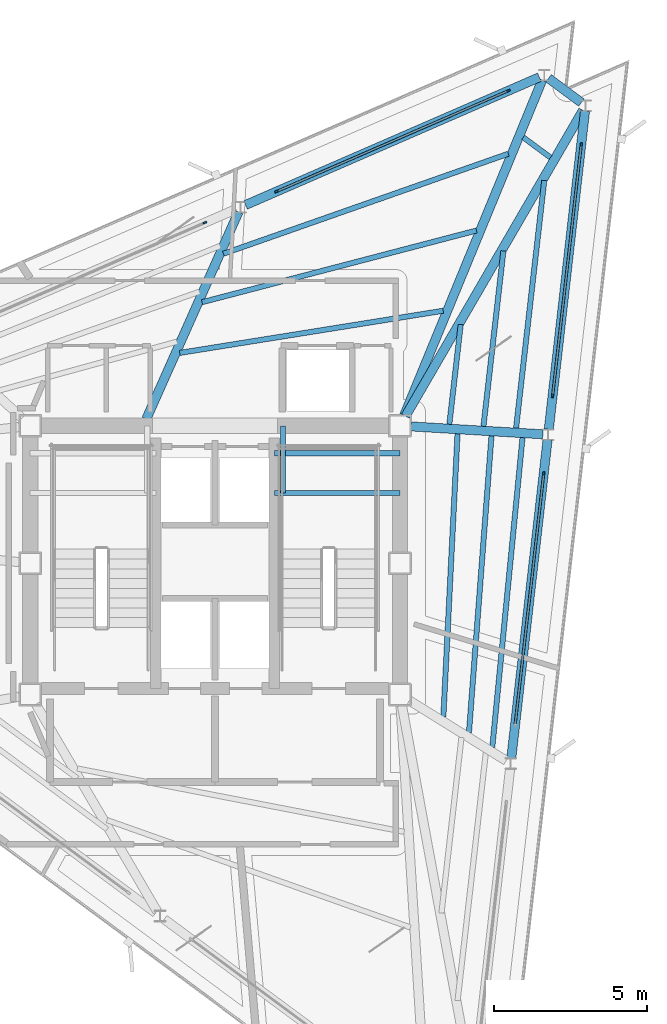
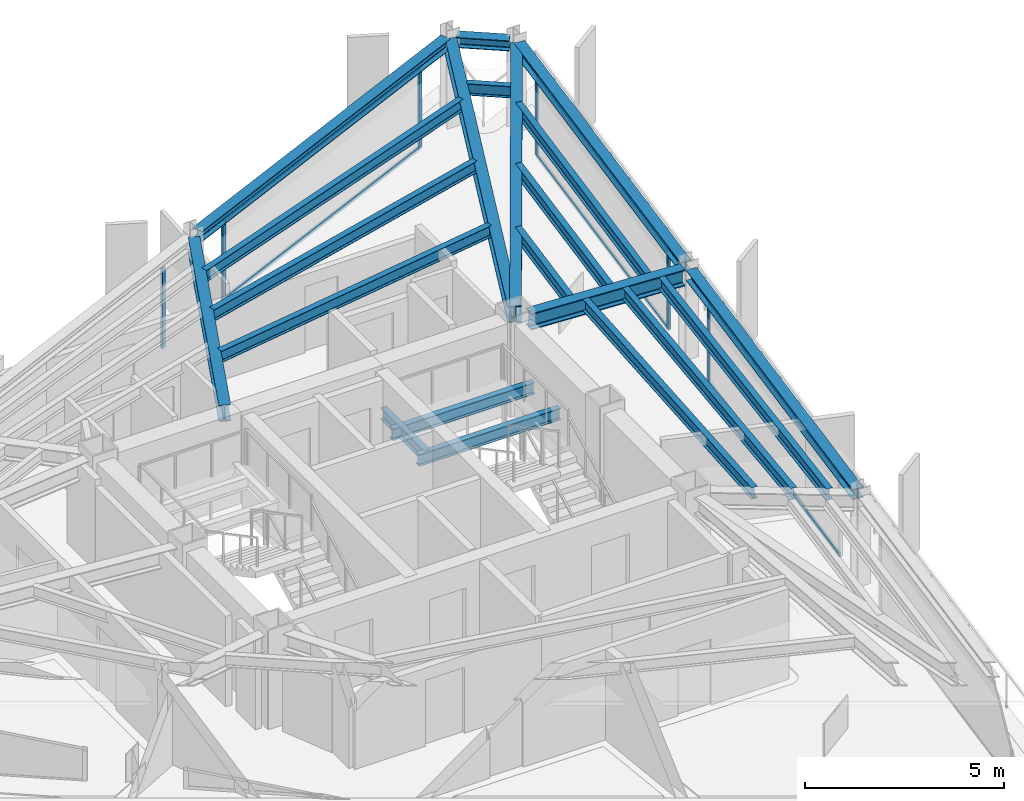
# One storey, part 4 of 10: 21 beams, 12 members, 4 elements without a shape of their own.
"""IFC4 building model written with IfcOpenShell, lengths in metres."""

import ifcopenshell
import ifcopenshell.guid

model = None  # the IFC model being written
_history = None  # IfcOwnerHistory: only IFC2X3 demands one
_inside = {}  # id of a spatial element -> (the spatial element, [elements in it])
_under = {}  # id of a project, library or spatial element -> (it, [spatial elements below it])
_declared = {}  # id of a project -> (the project, [libraries it declares])
_typed = {}  # id of a type object -> (the type object, [elements of that type])
_made_of = {}  # id of a material, layer set ... -> (it, [elements and type objects made of it])


def new_model(schema):
    """Start an empty IFC model of exactly this schema.

    Asked for "IFC4X3", IfcOpenShell would pick the latest addendum, in which some entities
    have other attributes; the version numbers below select the first issue.
    IFC2X3 requires an IfcOwnerHistory on every rooted entity: one is made here for all.
    """
    global model, _history
    if schema == "IFC4X3":
        model = ifcopenshell.file(schema_version=(4, 3, 0, 0))
    else:
        model = ifcopenshell.file(schema=schema)
    _inside.clear()
    _under.clear()
    _declared.clear()
    _typed.clear()
    _made_of.clear()
    _history = None
    if model.schema == "IFC2X3":
        org = make("IfcOrganization", Name="unknown")
        user = make(
            "IfcPersonAndOrganization",
            ThePerson=make("IfcPerson", FamilyName="unknown"),
            TheOrganization=org,
        )
        app = make(
            "IfcApplication",
            ApplicationDeveloper=org,
            Version="unknown",
            ApplicationFullName="unknown",
            ApplicationIdentifier="unknown",
        )
        _history = make(
            "IfcOwnerHistory",
            OwningUser=user,
            OwningApplication=app,
            ChangeAction="ADDED",
            CreationDate=0,
        )
    return model


def make(cls, **values):
    """One entity of the class cls with the attributes given. An attribute that is None is left unset."""
    return model.create_entity(
        cls, **{name: value for name, value in values.items() if value is not None}
    )


def rooted(cls, **values):
    """An entity with a GlobalId (a new one), such as an element, a storey or a relation."""
    return make(cls, GlobalId=ifcopenshell.guid.new(), OwnerHistory=_history, **values)


def si_unit(unit_type, name, prefix=None):
    """IfcSIUnit, for example si_unit("LENGTHUNIT", "METRE", prefix="MILLI")."""
    return make("IfcSIUnit", UnitType=unit_type, Prefix=prefix, Name=name)


def assignment(units):
    """IfcUnitAssignment: the units of a project."""
    return None if units is None else make("IfcUnitAssignment", Units=units)


def point(xyz):
    """IfcCartesianPoint."""
    return None if xyz is None else make("IfcCartesianPoint", Coordinates=xyz)


def direction(xyz):
    """IfcDirection."""
    return None if xyz is None else make("IfcDirection", DirectionRatios=xyz)


def frame(location, z_axis=None, x_axis=None):
    """IfcAxis2Placement3D, a coordinate frame: its origin and axes. An axis left out is left unset."""
    return make(
        "IfcAxis2Placement3D",
        Location=point(location),
        Axis=direction(z_axis),
        RefDirection=direction(x_axis),
    )


def frame_2d(location, x_axis=None):
    """IfcAxis2Placement2D, a coordinate frame in the plane: its origin and x axis."""
    return make(
        "IfcAxis2Placement2D", Location=point(location), RefDirection=direction(x_axis)
    )


def origin():
    """The frame at (0, 0, 0) with its axes left unset."""
    return frame((0.0, 0.0, 0.0))


def origin_2d():
    """The frame at (0, 0) in the plane with its x axis left unset."""
    return frame_2d((0.0, 0.0))


def place(relative_to, where):
    """IfcLocalPlacement: puts the frame where relative to a parent placement (None: the world)."""
    return make(
        "IfcLocalPlacement", PlacementRelTo=relative_to, RelativePlacement=where
    )


def context(
    kind, dimensions, precision=None, world=None, true_north=None, identifier=None
):
    """IfcGeometricRepresentationContext, for example the 3D "Model" context."""
    return make(
        "IfcGeometricRepresentationContext",
        ContextIdentifier=identifier,
        ContextType=kind,
        CoordinateSpaceDimension=dimensions,
        Precision=precision,
        WorldCoordinateSystem=world,
        TrueNorth=true_north,
    )


def subcontext(parent, identifier, kind, view, scale=None):
    """IfcGeometricRepresentationSubContext, for example "Body" below "Model"."""
    return make(
        "IfcGeometricRepresentationSubContext",
        ContextIdentifier=identifier,
        ContextType=kind,
        ParentContext=parent,
        TargetScale=scale,
        TargetView=view,
    )


def project(units=None, contexts=None):
    """IfcProject with its units and contexts."""
    return rooted(
        "IfcProject",
        Name="project",
        RepresentationContexts=contexts,
        UnitsInContext=assignment(units),
    )


def spatial(cls, under=None, at=None, **own):
    """A site, building, storey or space (cls), placed at a placement, below another one or the project."""
    s = rooted(cls, ObjectPlacement=at, **own)
    if under is not None:
        _under.setdefault(under.id(), (under, []))[1].append(s)
    return s


def profile(cls, at=None, kind="AREA", **sizes):
    """A parametric profile (cls). Its sizes go by their IFC names, for example OverallWidth=200.0."""
    return make(cls, ProfileType=kind, Position=at, **sizes)


def rectangle(**sizes):
    """IfcRectangleProfileDef."""
    return profile("IfcRectangleProfileDef", **sizes)


def i_section(**sizes):
    """IfcIShapeProfileDef."""
    return profile("IfcIShapeProfileDef", **sizes)


def extrude(swept, where, along, depth):
    """IfcExtrudedAreaSolid: the profile swept, set in the frame where, extruded along a direction by depth."""
    return make(
        "IfcExtrudedAreaSolid",
        SweptArea=swept,
        Position=where,
        ExtrudedDirection=direction(along),
        Depth=depth,
    )


def shape(context_of_items, identifier, shape_type, items):
    """IfcShapeRepresentation: the items that make up one representation, for example the "Body"."""
    return make(
        "IfcShapeRepresentation",
        ContextOfItems=context_of_items,
        RepresentationIdentifier=identifier,
        RepresentationType=shape_type,
        Items=items,
    )


def material(Name=None, Category=None):
    """IfcMaterial."""
    return make("IfcMaterial", Name=Name, Category=Category)


def layer(
    of_material, thickness, ventilated=None, Name=None, Category=None, Priority=None
):
    """IfcMaterialLayer: one layer of a wall or slab, of a material (None: an air gap)."""
    return make(
        "IfcMaterialLayer",
        Material=of_material,
        LayerThickness=thickness,
        IsVentilated=ventilated,
        Name=Name,
        Category=Category,
        Priority=Priority,
    )


def layer_set(layers, Name=None):
    """IfcMaterialLayerSet."""
    return make("IfcMaterialLayerSet", MaterialLayers=layers, LayerSetName=Name)


def material_profile(
    of_material, cross_section, Name=None, Category=None, Priority=None
):
    """IfcMaterialProfile: a cross section and its material."""
    return make(
        "IfcMaterialProfile",
        Name=Name,
        Material=of_material,
        Profile=cross_section,
        Priority=Priority,
        Category=Category,
    )


def profile_set(profiles, Name=None, composite=None):
    """IfcMaterialProfileSet."""
    return make(
        "IfcMaterialProfileSet",
        Name=Name,
        MaterialProfiles=profiles,
        CompositeProfile=composite,
    )


def made_of(thing, what):
    """Note that an element or type object is made of a material, layer set ...; save() writes the relation."""
    if what is not None:
        _made_of.setdefault(what.id(), (what, []))[1].append(thing)
    return thing


def type_object(cls, material=None, **own):
    """A type object (cls), such as IfcWallType, which elements share."""
    return made_of(rooted(cls, **own), material)


def element(
    cls,
    number,
    at=None,
    inside=None,
    cuts=None,
    type_object=None,
    material=None,
    context=None,
    identifier="Body",
    shape_type=None,
    held_by="IfcProductDefinitionShape",
    body=None,
    shapes=None,
    **own,
):
    """One element of the class cls, such as IfcWall. Its Tag is "e" and its number.

    at: its placement. inside: the storey or other place that contains it. cuts: it is an
    opening in that element (IfcRelVoidsElement). A single representation is given by context,
    identifier, shape_type and body (its items); several are given by shapes. held_by: the class
    of the entity that holds the representations. save() writes the other relations.
    """
    e = rooted(cls, Tag="e%d" % number, ObjectPlacement=at, **own)
    if body is not None:
        shapes = [shape(context, identifier, shape_type, body)]
    if shapes is not None:
        e.Representation = make(held_by, Representations=shapes)
    if inside is not None:
        _inside.setdefault(inside.id(), (inside, []))[1].append(e)
    if cuts is not None:
        rooted(
            "IfcRelVoidsElement", RelatingBuildingElement=cuts, RelatedOpeningElement=e
        )
    if type_object is not None:
        _typed.setdefault(type_object.id(), (type_object, []))[1].append(e)
    return made_of(e, material)


def aggregate(whole, parts):
    """IfcRelAggregates: a whole, such as a stair, and the parts it consists of."""
    return rooted("IfcRelAggregates", RelatingObject=whole, RelatedObjects=parts)


def save(model, path):
    """Write the relations noted so far, then the file.

    IfcRelAggregates (storeys below a building ...), IfcRelContainedInSpatialStructure (elements
    in a storey), IfcRelDefinesByType, IfcRelAssociatesMaterial and IfcRelDeclares: one each for
    every whole, place, type object, material and project.
    """
    for whole, parts in _under.values():
        aggregate(whole, parts)
    for where, things in _inside.values():
        rooted(
            "IfcRelContainedInSpatialStructure",
            RelatedElements=things,
            RelatingStructure=where,
        )
    for kind, things in _typed.values():
        rooted("IfcRelDefinesByType", RelatedObjects=things, RelatingType=kind)
    for what, things in _made_of.values():
        rooted("IfcRelAssociatesMaterial", RelatedObjects=things, RelatingMaterial=what)
    for by, libraries in _declared.values():
        rooted("IfcRelDeclares", RelatingContext=by, RelatedDefinitions=libraries)
    model.write(path)


model = new_model("IFC4")

# Units and contexts
model_context = context("Model", 3, precision=1e-05, world=origin(), true_north=direction((0.0, 1.0)))
body_context = subcontext(model_context, "Body", "Model", "MODEL_VIEW")
ifc_project = project(units=[si_unit("LENGTHUNIT", "METRE"), si_unit("AREAUNIT", "SQUARE_METRE"), si_unit("VOLUMEUNIT", "CUBIC_METRE"), si_unit("PLANEANGLEUNIT", "RADIAN"), si_unit("MASSUNIT", "GRAM", prefix="KILO")], contexts=[model_context])

# Site, building, storey
site_placement = place(None, origin())
site = spatial("IfcSite", under=ifc_project, at=site_placement, CompositionType="ELEMENT")
building_placement = place(site_placement, origin())
building = spatial("IfcBuilding", under=site, at=building_placement, Name="Rocaltana Carrier Exchange", CompositionType="ELEMENT")
storey_placement = place(building_placement, frame((0.0, 0.0, 227.0400390625)))
storey = spatial("IfcBuildingStorey", under=building, at=storey_placement, Name="L72", CompositionType="ELEMENT", Elevation=227.0400390625)

# Curtain wall, member
ifc_material_1 = material(Name="Aluminium 6063-T6", Category="aluminium")
ifc_layer = layer(ifc_material_1, 0.1201171875)
ifc_layer_set = layer_set([ifc_layer], Name="Aluminium 6063-T6")
curtain_wall_type = type_object("IfcCurtainWallType", Name="High-Altitude Thermal Curtain Wall CW-05", PredefinedType="NOTDEFINED", material=ifc_layer_set)
curtain_wall_1_placement = place(storey_placement, origin())
curtain_wall_1 = element("IfcCurtainWall", 1, at=curtain_wall_1_placement, inside=storey, type_object=curtain_wall_type, Name="L72 CW-05 Run CW-L72-F1S2", PredefinedType="NOTDEFINED")
ifc_material_2 = material(Name="Aluminium 6063-T6", Category="aluminium")
ifc_material_profile_1 = material_profile(ifc_material_2, rectangle(XDim=0.06005859375, YDim=0.1201171875, at=origin_2d()), Name="AL-60X120")
ifc_profile_set_1 = profile_set([ifc_material_profile_1], Name="Aluminium 6063-T6")
member_type_1 = type_object("IfcMemberType", Name="CW-05 Mullion AL-60X120", PredefinedType="MULLION", material=ifc_profile_set_1)
member_1_placement = place(storey_placement, frame((10.756591796875, 2.93798828125, 0.0), z_axis=(0.0, 0.0, 1.0), x_axis=(-0.993571216652, 0.113208822277, 0.0)))
member_1 = element("IfcMember", 2, at=member_1_placement, type_object=member_type_1, Name="CW-05 mullion 2", PredefinedType="MULLION", context=body_context, shape_type="SweptSolid", body=[
    extrude(rectangle(XDim=0.06005859375, YDim=0.1201171875, at=origin_2d()), origin(), (0.0, 0.0, 1.0), 2.447998046875),
])

# Curtain wall, members
curtain_wall_2_placement = place(storey_placement, origin())
curtain_wall_2 = element("IfcCurtainWall", 3, at=curtain_wall_2_placement, inside=storey, type_object=curtain_wall_type, Name="L72 CW-05 Run CW-L72-F1S3", PredefinedType="NOTDEFINED")
member_2_placement = place(storey_placement, frame((11.04638671875, 5.4814453125, 0.0), z_axis=(0.0, 0.0, 1.0), x_axis=(-0.993572566365, 0.113196975964, 0.0)))
member_2 = element("IfcMember", 4, at=member_2_placement, type_object=member_type_1, Name="CW-05 mullion 1", PredefinedType="MULLION", context=body_context, shape_type="SweptSolid", body=[
    extrude(rectangle(XDim=0.06005859375, YDim=0.1201171875, at=origin_2d()), origin(), (0.0, 0.0, 1.0), 2.447998046875),
])
member_3_placement = place(storey_placement, frame((11.98291015625, 13.70166015625, 0.0), z_axis=(0.0, 0.0, 1.0), x_axis=(-0.993572566365, 0.113196975964, 0.0)))
member_3 = element("IfcMember", 5, at=member_3_placement, type_object=member_type_1, Name="CW-05 mullion 2", PredefinedType="MULLION", context=body_context, shape_type="SweptSolid", body=[
    extrude(rectangle(XDim=0.06005859375, YDim=0.1201171875, at=origin_2d()), origin(), (0.0, 0.0, 1.0), 2.447998046875),
])

curtain_wall_3_placement = place(storey_placement, origin())
curtain_wall_3 = element("IfcCurtainWall", 6, at=curtain_wall_3_placement, inside=storey, type_object=curtain_wall_type, Name="L72 CW-05 Run CW-L72-F2S1", PredefinedType="NOTDEFINED")
member_4_placement = place(storey_placement, frame((9.599609375, 15.46533203125, 0.0), z_axis=(0.0, 0.0, 1.0), x_axis=(0.39875682637, -0.917056701313, 0.0)))
member_4 = element("IfcMember", 7, at=member_4_placement, type_object=member_type_1, Name="CW-05 mullion 1", PredefinedType="MULLION", context=body_context, shape_type="SweptSolid", body=[
    extrude(rectangle(XDim=0.06005859375, YDim=0.1201171875, at=origin_2d()), origin(), (0.0, 0.0, 1.0), 2.447998046875),
])
member_5_placement = place(storey_placement, frame((2.01220703125, 12.166259765625, 0.0), z_axis=(0.0, 0.0, 1.0), x_axis=(0.39875682637, -0.917056701313, 0.0)))
member_5 = element("IfcMember", 8, at=member_5_placement, type_object=member_type_1, Name="CW-05 mullion 2", PredefinedType="MULLION", context=body_context, shape_type="SweptSolid", body=[
    extrude(rectangle(XDim=0.06005859375, YDim=0.1201171875, at=origin_2d()), origin(), (0.0, 0.0, 1.0), 2.447998046875),
])

# Curtain wall, member
curtain_wall_4_placement = place(storey_placement, origin())
curtain_wall_4 = element("IfcCurtainWall", 9, at=curtain_wall_4_placement, inside=storey, type_object=curtain_wall_type, Name="L72 CW-05 Run CW-L72-F2S2", PredefinedType="NOTDEFINED")
member_6_placement = place(storey_placement, frame((-0.335205078125, 11.1455078125, 0.0), z_axis=(0.0, 0.0, 1.0), x_axis=(0.398752438254, -0.917058609352, 0.0)))
member_6 = element("IfcMember", 10, at=member_6_placement, type_object=member_type_1, Name="CW-05 mullion 1", PredefinedType="MULLION", context=body_context, shape_type="SweptSolid", body=[
    extrude(rectangle(XDim=0.06005859375, YDim=0.1201171875, at=origin_2d()), origin(), (0.0, 0.0, 1.0), 2.447998046875),
])
aggregate(curtain_wall_4, [member_6])

# Member
ifc_material_3 = material(Name="Aluminium 6063-T6", Category="aluminium")
ifc_material_profile_2 = material_profile(ifc_material_3, rectangle(XDim=0.06005859375, YDim=0.1201171875, at=origin_2d()), Name="AL-60X120")
ifc_profile_set_2 = profile_set([ifc_material_profile_2], Name="Aluminium 6063-T6")
member_type_2 = type_object("IfcMemberType", Name="CW-05 Transom AL-60X120", PredefinedType="USERDEFINED", material=ifc_profile_set_2)
member_7_placement = place(storey_placement, frame((9.8232421875, -5.25244140625, 0.030029296875), z_axis=(0.113220478228, 0.993569888488, 0.0), x_axis=(-0.993569888488, 0.113220478228, 0.0)))
member_7 = element("IfcMember", 11, at=member_7_placement, type_object=member_type_2, Name="CW-05 transom 1.1", ObjectType="TRANSOM", PredefinedType="USERDEFINED", context=body_context, shape_type="SweptSolid", body=[
    extrude(rectangle(XDim=0.06005859375, YDim=0.1201171875, at=origin_2d()), origin(), (0.0, 0.0, 1.0), 8.21337890625),
])

member_8_placement = place(storey_placement, frame((9.8232421875, -5.25244140625, 2.41796875), z_axis=(0.113220478228, 0.993569888488, 0.0), x_axis=(-0.993569888488, 0.113220478228, 0.0)))
member_8 = element("IfcMember", 12, at=member_8_placement, type_object=member_type_2, Name="CW-05 transom 1.2", ObjectType="TRANSOM", PredefinedType="USERDEFINED", context=body_context, shape_type="SweptSolid", body=[
    extrude(rectangle(XDim=0.06005859375, YDim=0.1201171875, at=origin_2d()), origin(), (0.0, 0.0, 1.0), 8.21337890625),
])

aggregate(curtain_wall_1, [member_1, member_7, member_8])

member_9_placement = place(storey_placement, frame((11.0498046875, 5.51123046875, 0.030029296875), z_axis=(0.113191134651, 0.993573231844, 0.0), x_axis=(-0.993573231844, 0.113191134651, 0.0)))
member_9 = element("IfcMember", 13, at=member_9_placement, type_object=member_type_2, Name="CW-05 transom 1.1", ObjectType="TRANSOM", PredefinedType="USERDEFINED", context=body_context, shape_type="SweptSolid", body=[
    extrude(rectangle(XDim=0.06005859375, YDim=0.1201171875, at=origin_2d()), origin(), (0.0, 0.0, 1.0), 8.21337890625),
])

member_10_placement = place(storey_placement, frame((11.0498046875, 5.51123046875, 2.41796875), z_axis=(0.113191134651, 0.993573231844, 0.0), x_axis=(-0.993573231844, 0.113191134651, 0.0)))
member_10 = element("IfcMember", 14, at=member_10_placement, type_object=member_type_2, Name="CW-05 transom 1.2", ObjectType="TRANSOM", PredefinedType="USERDEFINED", context=body_context, shape_type="SweptSolid", body=[
    extrude(rectangle(XDim=0.06005859375, YDim=0.1201171875, at=origin_2d()), origin(), (0.0, 0.0, 1.0), 8.21337890625),
])

aggregate(curtain_wall_2, [member_2, member_3, member_9, member_10])

member_11_placement = place(storey_placement, frame((9.572021484375, 15.453369140625, 0.030029296875), z_axis=(-0.917058241688, -0.398753283814, 0.0), x_axis=(0.398753283814, -0.917058241688, 0.0)))
member_11 = element("IfcMember", 15, at=member_11_placement, type_object=member_type_2, Name="CW-05 transom 1.1", ObjectType="TRANSOM", PredefinedType="USERDEFINED", context=body_context, shape_type="SweptSolid", body=[
    extrude(rectangle(XDim=0.06005859375, YDim=0.1201171875, at=origin_2d()), origin(), (0.0, 0.0, 1.0), 8.21337890625),
])

member_12_placement = place(storey_placement, frame((9.572021484375, 15.453369140625, 2.41796875), z_axis=(-0.917058241688, -0.398753283814, 0.0), x_axis=(0.398753283814, -0.917058241688, 0.0)))
member_12 = element("IfcMember", 16, at=member_12_placement, type_object=member_type_2, Name="CW-05 transom 1.2", ObjectType="TRANSOM", PredefinedType="USERDEFINED", context=body_context, shape_type="SweptSolid", body=[
    extrude(rectangle(XDim=0.06005859375, YDim=0.1201171875, at=origin_2d()), origin(), (0.0, 0.0, 1.0), 8.21337890625),
])

aggregate(curtain_wall_3, [member_4, member_5, member_11, member_12])

# Beams
ifc_material_4 = material(Name="Steel S355", Category="steel")
ifc_material_profile_3 = material_profile(ifc_material_4, i_section(OverallWidth=0.172119140625, OverallDepth=0.35791015625, WebThickness=0.0078125, FlangeThickness=0.01318359375, FilletRadius=0.011962890625, at=origin_2d()), Name="W14X38")
ifc_profile_set_3 = profile_set([ifc_material_profile_3], Name="Steel S355")
beam_type_1 = type_object("IfcBeamType", Name="Floor Joist W14X38", PredefinedType="JOIST", material=ifc_profile_set_3)
for number, where, z_axis, x_axis, name in (
    (17, (1.93994140625, 2.300048828125, 1.140869140625), (1.0, 0.0, 0.0), (0.0, 1.0, 0.0), "L72 ST-2 Landing Carrier 1"),
    (18, (1.93994140625, 3.60009765625, 1.140869140625), (1.0, 0.0, 0.0), (0.0, 1.0, 0.0), "L72 ST-2 Landing Carrier 2"),
):
    element("IfcBeam", number, at=place(storey_placement, frame(where, z_axis=z_axis, x_axis=x_axis)), inside=storey, type_object=beam_type_1, Name=name, PredefinedType="JOIST", context=body_context, shape_type="SweptSolid", body=[
        extrude(i_section(OverallWidth=0.172119140625, OverallDepth=0.35791015625, WebThickness=0.0078125, FlangeThickness=0.01318359375, FilletRadius=0.011962890625, at=origin_2d()), origin(), (0.0, 0.0, 1.0), 4.110107421875),
    ])
beam_1_placement = place(storey_placement, frame((2.219970703125, 2.300048828125, 1.140869140625), z_axis=(0.0, 1.0, 0.0), x_axis=(-1.0, 0.0, 0.0)))
element("IfcBeam", 19, at=beam_1_placement, inside=storey, type_object=beam_type_1, Name="L72 ST-2 Landing Cross Trimmer", PredefinedType="JOIST", context=body_context, shape_type="SweptSolid", body=[
    extrude(i_section(OverallWidth=0.172119140625, OverallDepth=0.35791015625, WebThickness=0.0078125, FlangeThickness=0.01318359375, FilletRadius=0.011962890625, at=origin_2d()), origin(), (0.0, 0.0, 1.0), 2.199951171875),
])
beam_2_placement = place(storey_placement, frame((7.470947265625, -5.03515625, 2.618896484375), z_axis=(0.049933684641, 0.998752535485, 0.0), x_axis=(-0.998752535485, 0.049933684641, 0.0)))
element("IfcBeam", 20, at=beam_2_placement, inside=storey, type_object=beam_type_1, Name="FJ-L72-02-1", PredefinedType="JOIST", context=body_context, shape_type="SweptSolid", body=[
    extrude(i_section(OverallWidth=0.172119140625, OverallDepth=0.35791015625, WebThickness=0.0078125, FlangeThickness=0.01318359375, FilletRadius=0.011962890625, at=origin_2d()), origin(), (0.0, 0.0, 1.0), 9.28955078125),
])
beam_3_placement = place(storey_placement, frame((8.308349609375, -5.553955078125, 2.618896484375), z_axis=(0.075705441131, 0.997130225288, 0.0), x_axis=(-0.997130225288, 0.075705441131, 0.0)))
element("IfcBeam", 21, at=beam_3_placement, inside=storey, type_object=beam_type_1, Name="FJ-L72-02-2", PredefinedType="JOIST", context=body_context, shape_type="SweptSolid", body=[
    extrude(i_section(OverallWidth=0.172119140625, OverallDepth=0.35791015625, WebThickness=0.0078125, FlangeThickness=0.01318359375, FilletRadius=0.011962890625, at=origin_2d()), origin(), (0.0, 0.0, 1.0), 9.758544921875),
])
beam_4_placement = place(storey_placement, frame((9.07275390625, -6.027587890625, 2.618896484375), z_axis=(0.097138741589, 0.995270850011, 0.0), x_axis=(-0.995270850011, 0.097138741589, 0.0)))
element("IfcBeam", 22, at=beam_4_placement, inside=storey, type_object=beam_type_1, Name="FJ-L72-02-3", PredefinedType="JOIST", context=body_context, shape_type="SweptSolid", body=[
    extrude(i_section(OverallWidth=0.172119140625, OverallDepth=0.35791015625, WebThickness=0.0078125, FlangeThickness=0.01318359375, FilletRadius=0.011962890625, at=origin_2d()), origin(), (0.0, 0.0, 1.0), 10.19140625),
])
beam_5_placement = place(storey_placement, frame((7.667236328125, 4.54736328125, 2.618896484375), z_axis=(0.113203016028, 0.993571878206, 0.0), x_axis=(-0.993571878206, 0.113203016028, 0.0)))
element("IfcBeam", 23, at=beam_5_placement, inside=storey, type_object=beam_type_1, Name="FJ-L72-03-1", PredefinedType="JOIST", context=body_context, shape_type="SweptSolid", body=[
    extrude(i_section(OverallWidth=0.172119140625, OverallDepth=0.35791015625, WebThickness=0.0078125, FlangeThickness=0.01318359375, FilletRadius=0.011962890625, at=origin_2d()), origin(), (0.0, 0.0, 1.0), 3.286865234375),
])
beam_6_placement = place(storey_placement, frame((8.783203125, 4.48046875, 2.618896484375), z_axis=(0.113185542157, 0.993573868943, 0.0), x_axis=(-0.993573868943, 0.113185542157, 0.0)))
element("IfcBeam", 24, at=beam_6_placement, inside=storey, type_object=beam_type_1, Name="FJ-L72-03-2", PredefinedType="JOIST", context=body_context, shape_type="SweptSolid", body=[
    extrude(i_section(OverallWidth=0.172119140625, OverallDepth=0.35791015625, WebThickness=0.0078125, FlangeThickness=0.01318359375, FilletRadius=0.011962890625, at=origin_2d()), origin(), (0.0, 0.0, 1.0), 5.778564453125),
])
beam_7_placement = place(storey_placement, frame((9.850341796875, 4.41650390625, 2.618896484375), z_axis=(0.113215051584, 0.993570506856, 0.0), x_axis=(-0.993570506856, 0.113215051584, 0.0)))
element("IfcBeam", 25, at=beam_7_placement, inside=storey, type_object=beam_type_1, Name="FJ-L72-03-3", PredefinedType="JOIST", context=body_context, shape_type="SweptSolid", body=[
    extrude(i_section(OverallWidth=0.172119140625, OverallDepth=0.35791015625, WebThickness=0.0078125, FlangeThickness=0.01318359375, FilletRadius=0.011962890625, at=origin_2d()), origin(), (0.0, 0.0, 1.0), 8.162109375),
])
beam_8_placement = place(storey_placement, frame((10.978759765625, 13.278564453125, 2.618896484375), z_axis=(-0.803783025316, 0.594922556484, 0.0), x_axis=(-0.594922556484, -0.803783025316, 0.0)))
element("IfcBeam", 26, at=beam_8_placement, inside=storey, type_object=beam_type_1, Name="FJ-L72-04-3", PredefinedType="JOIST", context=body_context, shape_type="SweptSolid", body=[
    extrude(i_section(OverallWidth=0.172119140625, OverallDepth=0.35791015625, WebThickness=0.0078125, FlangeThickness=0.01318359375, FilletRadius=0.011962890625, at=origin_2d()), origin(), (0.0, 0.0, 1.0), 1.1103515625),
])
beam_9_placement = place(storey_placement, frame((7.466552734375, 8.26416015625, 2.618896484375), z_axis=(-0.987434349957, -0.158029758352, 0.0), x_axis=(0.158029758352, -0.987434349957, 0.0)))
element("IfcBeam", 27, at=beam_9_placement, inside=storey, type_object=beam_type_1, Name="FJ-L72-05-1", PredefinedType="JOIST", context=body_context, shape_type="SweptSolid", body=[
    extrude(i_section(OverallWidth=0.172119140625, OverallDepth=0.35791015625, WebThickness=0.0078125, FlangeThickness=0.01318359375, FilletRadius=0.011962890625, at=origin_2d()), origin(), (0.0, 0.0, 1.0), 8.731689453125),
])
beam_10_placement = place(storey_placement, frame((8.5556640625, 10.889892578125, 2.618896484375), z_axis=(-0.967527830679, -0.252764508708, 0.0), x_axis=(0.252764508708, -0.967527830679, 0.0)))
element("IfcBeam", 28, at=beam_10_placement, inside=storey, type_object=beam_type_1, Name="FJ-L72-05-2", PredefinedType="JOIST", context=body_context, shape_type="SweptSolid", body=[
    extrude(i_section(OverallWidth=0.172119140625, OverallDepth=0.35791015625, WebThickness=0.0078125, FlangeThickness=0.01318359375, FilletRadius=0.011962890625, at=origin_2d()), origin(), (0.0, 0.0, 1.0), 9.2822265625),
])
beam_11_placement = place(storey_placement, frame((9.598388671875, 13.4033203125, 2.618896484375), z_axis=(-0.943534028817, -0.331275620087, 0.0), x_axis=(0.331275620087, -0.943534028817, 0.0)))
element("IfcBeam", 29, at=beam_11_placement, inside=storey, type_object=beam_type_1, Name="FJ-L72-05-3", PredefinedType="JOIST", context=body_context, shape_type="SweptSolid", body=[
    extrude(i_section(OverallWidth=0.172119140625, OverallDepth=0.35791015625, WebThickness=0.0078125, FlangeThickness=0.01318359375, FilletRadius=0.011962890625, at=origin_2d()), origin(), (0.0, 0.0, 1.0), 9.883544921875),
])
ifc_material_5 = material(Name="Steel S355", Category="steel")
ifc_material_profile_4 = material_profile(ifc_material_5, i_section(OverallWidth=0.300048828125, OverallDepth=0.320068359375, WebThickness=0.011474609375, FlangeThickness=0.0205078125, FilletRadius=0.027099609375, at=origin_2d()), Name="HEB320")
ifc_profile_set_4 = profile_set([ifc_material_profile_4], Name="Steel S355")
beam_type_2 = type_object("IfcBeamType", Name="Spandrel Edge Beam HEB320", PredefinedType="SPANDREL", material=ifc_profile_set_4)
for number, where, z_axis, x_axis, name in (
    (30, (9.694580078125, -6.381103515625, 2.637939453125), (0.113206425365, 0.993571489756, 0.0), (-0.993571489756, 0.113206425365, 0.0), "SP-L72-02"),
    (31, (10.921142578125, 4.382568359375, 2.637939453125), (0.113183439753, 0.993574108442, 0.0), (-0.993574108442, 0.113183439753, 0.0), "SP-L72-03"),
):
    element("IfcBeam", number, at=place(storey_placement, frame(where, z_axis=z_axis, x_axis=x_axis)), inside=storey, type_object=beam_type_2, Name=name, PredefinedType="SPANDREL", context=body_context, shape_type="SweptSolid", body=[
        extrude(i_section(OverallWidth=0.300048828125, OverallDepth=0.320068359375, WebThickness=0.011474609375, FlangeThickness=0.0205078125, FilletRadius=0.027099609375, at=origin_2d()), origin(), (0.0, 0.0, 1.0), 10.4853515625),
    ])
beam_12_placement = place(storey_placement, frame((11.98779296875, 15.076904296875, 2.637939453125), z_axis=(-0.80388381105, 0.594786363605, 0.0), x_axis=(-0.594786363605, -0.80388381105, 0.0)))
element("IfcBeam", 32, at=beam_12_placement, inside=storey, type_object=beam_type_2, Name="SP-L72-04", PredefinedType="SPANDREL", context=body_context, shape_type="SweptSolid", body=[
    extrude(i_section(OverallWidth=0.300048828125, OverallDepth=0.320068359375, WebThickness=0.011474609375, FlangeThickness=0.0205078125, FilletRadius=0.027099609375, at=origin_2d()), origin(), (0.0, 0.0, 1.0), 1.3369140625),
])
beam_13_placement = place(storey_placement, frame((10.61376953125, 15.90625, 2.637939453125), z_axis=(-0.917055989154, -0.398758464182, 0.0), x_axis=(0.398758464182, -0.917055989154, 0.0)))
element("IfcBeam", 33, at=beam_13_placement, inside=storey, type_object=beam_type_2, Name="SP-L72-05", PredefinedType="SPANDREL", context=body_context, shape_type="SweptSolid", body=[
    extrude(i_section(OverallWidth=0.300048828125, OverallDepth=0.320068359375, WebThickness=0.011474609375, FlangeThickness=0.0205078125, FilletRadius=0.027099609375, at=origin_2d()), origin(), (0.0, 0.0, 1.0), 10.4853515625),
])
ifc_material_6 = material(Name="Steel S355", Category="steel")
ifc_material_profile_5 = material_profile(ifc_material_6, i_section(OverallWidth=0.300048828125, OverallDepth=0.5, WebThickness=0.014404296875, FlangeThickness=0.028076171875, FilletRadius=0.027099609375, at=origin_2d()), Name="HEB500")
ifc_profile_set_5 = profile_set([ifc_material_profile_5], Name="Steel S355")
beam_type_3 = type_object("IfcBeamType", Name="Upper Radial Girder HEB500", PredefinedType="BEAM", material=ifc_profile_set_5)
beam_14_placement = place(storey_placement, frame((6.416259765625, 4.47802734375, 2.5478515625), z_axis=(0.998216990301, -0.059689532376, 0.0), x_axis=(0.059689532376, 0.998216990301, 0.0)))
element("IfcBeam", 34, at=beam_14_placement, inside=storey, type_object=beam_type_3, Name="RG-L72-03", PredefinedType="BEAM", context=body_context, shape_type="SweptSolid", body=[
    extrude(i_section(OverallWidth=0.300048828125, OverallDepth=0.5, WebThickness=0.014404296875, FlangeThickness=0.028076171875, FilletRadius=0.027099609375, at=origin_2d()), origin(), (0.0, 0.0, 1.0), 4.3193359375),
])
beam_15_placement = place(storey_placement, frame((6.234130859375, 4.8173828125, 2.5478515625), z_axis=(0.501905371074, 0.86492253901, 0.0), x_axis=(-0.86492253901, 0.501905371074, 0.0)))
element("IfcBeam", 35, at=beam_15_placement, inside=storey, type_object=beam_type_3, Name="RG-L72-04", PredefinedType="BEAM", context=body_context, shape_type="SweptSolid", body=[
    extrude(i_section(OverallWidth=0.300048828125, OverallDepth=0.5, WebThickness=0.014404296875, FlangeThickness=0.028076171875, FilletRadius=0.027099609375, at=origin_2d()), origin(), (0.0, 0.0, 1.0), 11.568115234375),
])
beam_16_placement = place(storey_placement, frame((6.189697265625, 4.83935546875, 2.5478515625), z_axis=(0.380611164855, 0.924735173543, 0.0), x_axis=(-0.924735173543, 0.380611164855, 0.0)))
element("IfcBeam", 36, at=beam_16_placement, inside=storey, type_object=beam_type_3, Name="RG-L72-05", PredefinedType="BEAM", context=body_context, shape_type="SweptSolid", body=[
    extrude(i_section(OverallWidth=0.300048828125, OverallDepth=0.5, WebThickness=0.014404296875, FlangeThickness=0.028076171875, FilletRadius=0.027099609375, at=origin_2d()), origin(), (0.0, 0.0, 1.0), 11.86865234375),
])
beam_17_placement = place(storey_placement, frame((-2.25146484375, 4.720947265625, 2.5478515625), z_axis=(0.406987211438, 0.91343385624, 0.0), x_axis=(-0.91343385624, 0.406987211438, 0.0)))
element("IfcBeam", 37, at=beam_17_placement, inside=storey, type_object=beam_type_3, Name="RG-L72-06", PredefinedType="BEAM", context=body_context, shape_type="SweptSolid", body=[
    extrude(i_section(OverallWidth=0.300048828125, OverallDepth=0.5, WebThickness=0.014404296875, FlangeThickness=0.028076171875, FilletRadius=0.027099609375, at=origin_2d()), origin(), (0.0, 0.0, 1.0), 7.41796875),
])

save(model, "model.ifc")
